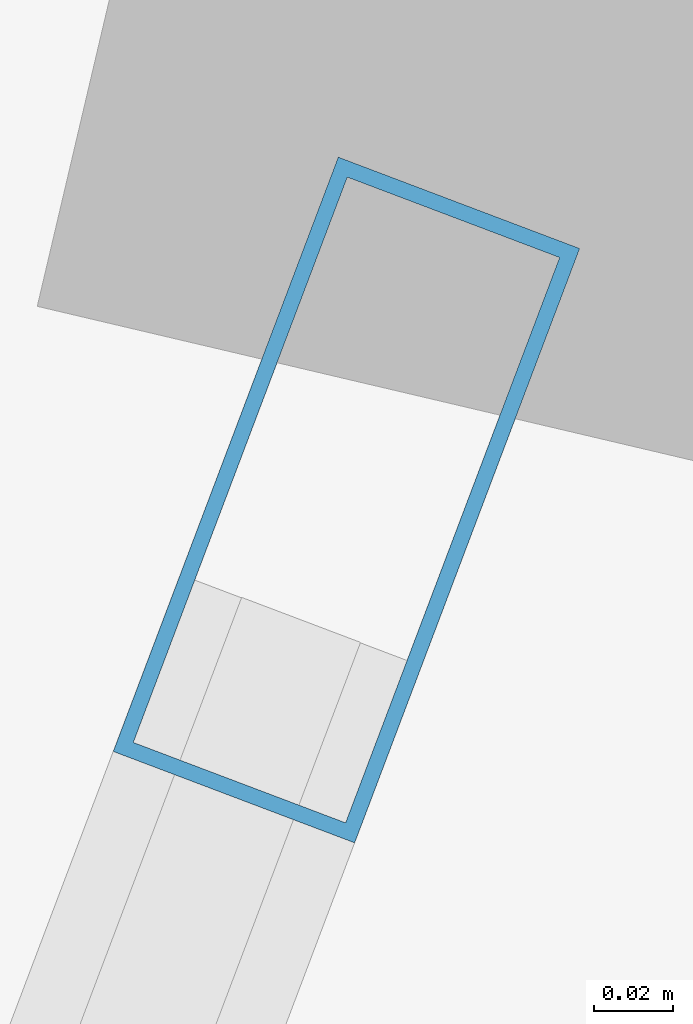
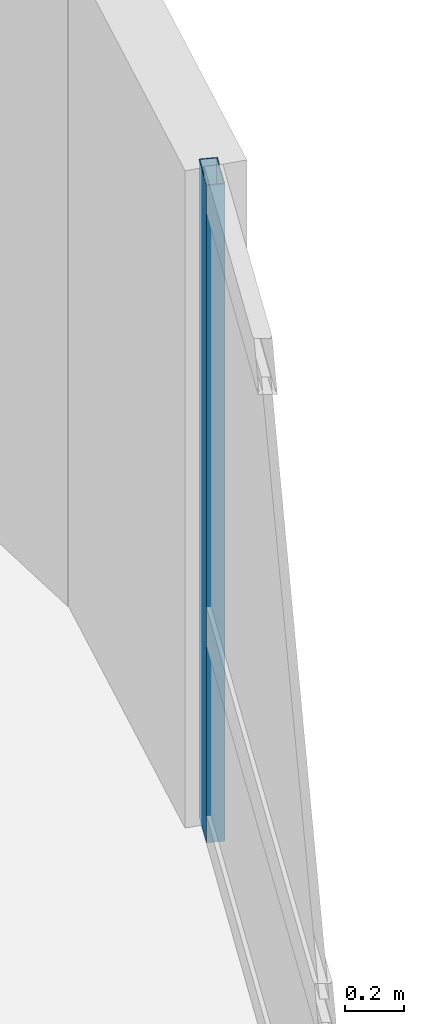
# One storey, part 16 of 26: 1 member, 1 element without a shape of its own.
"""IFC4 building model written with IfcOpenShell, lengths in metres."""

from ifc_helpers import new_model, si_unit, direction, frame, origin, origin_2d, place, context, subcontext, project, spatial, hollow_rectangle, extrude, material, layer, layer_set, material_profile, profile_set, type_object, element, aggregate, save


model = new_model("IFC4")

# Units and contexts
model_context = context("Model", 3, precision=1e-05, world=origin(), true_north=direction((0.0, 1.0)))
body_context = subcontext(model_context, "Body", "Model", "MODEL_VIEW")
ifc_project = project(units=[si_unit("LENGTHUNIT", "METRE"), si_unit("AREAUNIT", "SQUARE_METRE"), si_unit("VOLUMEUNIT", "CUBIC_METRE"), si_unit("PLANEANGLEUNIT", "RADIAN"), si_unit("MASSUNIT", "GRAM", prefix="KILO")], contexts=[model_context])

# Site, building, storey
site_placement = place(None, origin())
site = spatial("IfcSite", under=ifc_project, at=site_placement, CompositionType="ELEMENT")
building_placement = place(site_placement, origin())
building = spatial("IfcBuilding", under=site, at=building_placement, Name="Varnelok Gate Tower", CompositionType="ELEMENT")
storey_placement = place(building_placement, frame((0.0, 0.0, 109.5)))
storey = spatial("IfcBuildingStorey", under=building, at=storey_placement, Name="L27", CompositionType="ELEMENT", Elevation=109.5)

# Curtain wall, member
ifc_material = material(Name="Anodized Aluminum Alloy 6063-T6", Category="aluminium")
ifc_layer = layer(ifc_material, 0.179931640625)
ifc_layer_set = layer_set([ifc_layer], Name="Anodized Aluminum Alloy 6063-T6")
curtain_wall_type = type_object("IfcCurtainWallType", Name="CW3-HOTEL-VISION", PredefinedType="USERDEFINED", material=ifc_layer_set)
curtain_wall_placement = place(storey_placement, origin())
curtain_wall = element("IfcCurtainWall", 1, at=curtain_wall_placement, inside=storey, type_object=curtain_wall_type, Name="L27 East End Vision Curtain Wall", ObjectType="UNITISED CURTAIN WALL", PredefinedType="USERDEFINED")
ifc_material_profile = material_profile(ifc_material, hollow_rectangle(XDim=0.06494140625, YDim=0.159912109375, WallThickness=0.00390625, at=origin_2d()), Name="ALU160X65X4")
ifc_profile_set = profile_set([ifc_material_profile], Name="Anodized Aluminum Alloy 6063-T6")
member_type = type_object("IfcMemberType", Name="CW-MULL-160", PredefinedType="MULLION", material=ifc_profile_set)
member_placement = place(storey_placement, frame((80.443359375, 29.004638671875, 0.0), z_axis=(0.0, 0.0, 1.0), x_axis=(0.935221323688, -0.354063660545, 0.0)))
member = element("IfcMember", 2, at=member_placement, type_object=member_type, Name="CW3 mullion 1", PredefinedType="MULLION", context=body_context, shape_type="SweptSolid", body=[
    extrude(hollow_rectangle(XDim=0.06494140625, YDim=0.159912109375, WallThickness=0.00390625, at=origin_2d()), origin(), (0.0, 0.0, 1.0), 2.72998046875),
])
aggregate(curtain_wall, [member])

save(model, "model.ifc")
